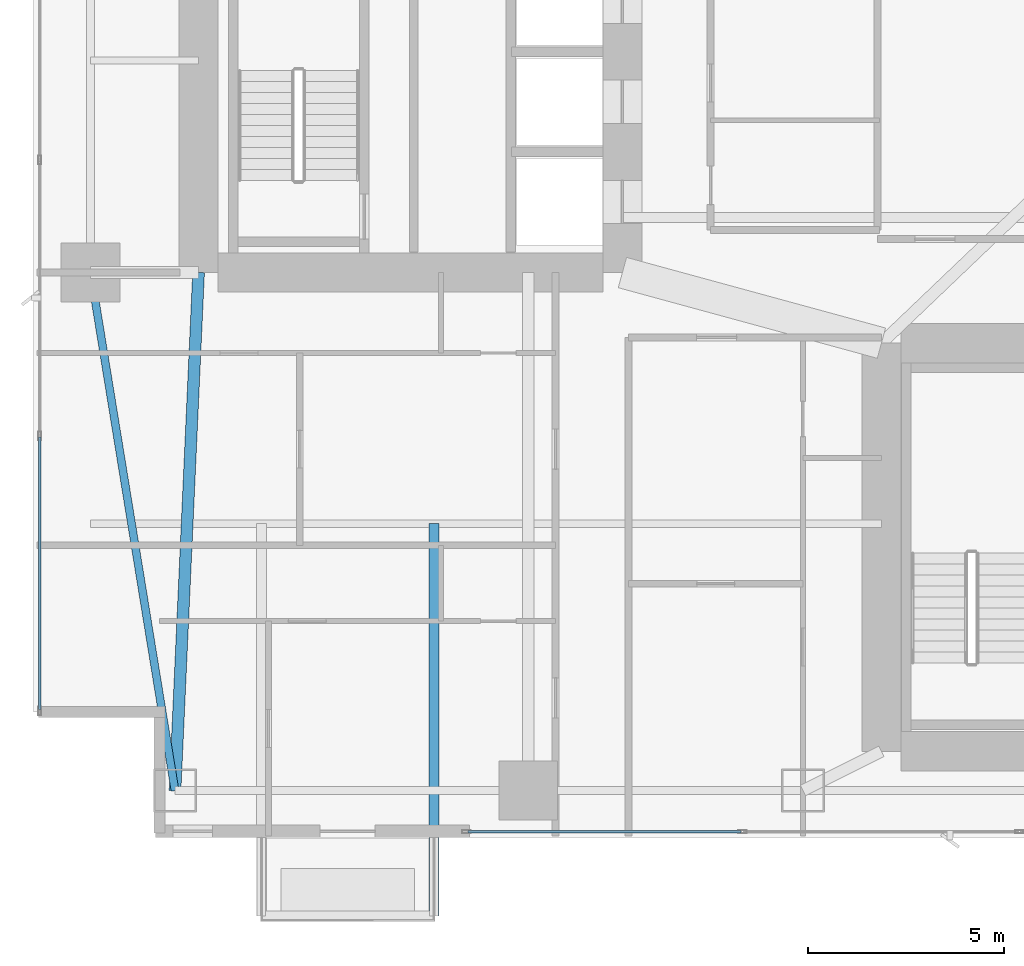
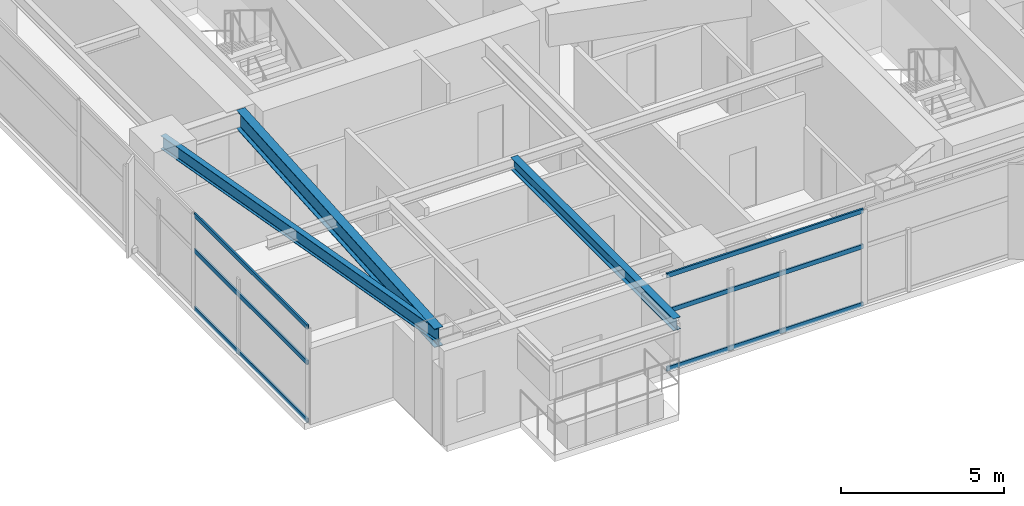
# One storey, part 3 of 29: 6 members, 3 beams, 2 elements without a shape of their own.
"""IFC4 building model written with IfcOpenShell, lengths in metres."""

from ifc_helpers import new_model, si_unit, direction, frame, origin, origin_2d, place, context, subcontext, project, spatial, hollow_rectangle, i_section, extrude, material, layer, layer_set, material_profile, profile_set, type_object, element, aggregate, save


model = new_model("IFC4")

# Units and contexts
model_context = context("Model", 3, precision=1e-05, world=origin(), true_north=direction((0.0, 1.0)))
body_context = subcontext(model_context, "Body", "Model", "MODEL_VIEW")
ifc_project = project(units=[si_unit("LENGTHUNIT", "METRE"), si_unit("AREAUNIT", "SQUARE_METRE"), si_unit("VOLUMEUNIT", "CUBIC_METRE"), si_unit("PLANEANGLEUNIT", "RADIAN"), si_unit("MASSUNIT", "GRAM", prefix="KILO")], contexts=[model_context])

# Site, building, storey
site_placement = place(None, origin())
site = spatial("IfcSite", under=ifc_project, at=site_placement, CompositionType="ELEMENT")
building_placement = place(site_placement, origin())
building = spatial("IfcBuilding", under=site, at=building_placement, Name="Calvorn Quay Hotel", CompositionType="ELEMENT")
storey_placement = place(building_placement, frame((0.0, 0.0, 58.39990234375)))
storey = spatial("IfcBuildingStorey", under=building, at=storey_placement, Name="L13", CompositionType="ELEMENT", Elevation=58.39990234375)

# Beams
ifc_material_1 = material(Name="Steel Q355B", Category="steel")
ifc_material_profile_1 = material_profile(ifc_material_1, i_section(OverallWidth=0.25, OverallDepth=0.449951171875, WebThickness=0.011962890625, FlangeThickness=0.01611328125, FilletRadius=0.01611328125, at=origin_2d()), Name="HN450x250x12x16")
ifc_profile_set_1 = profile_set([ifc_material_profile_1], Name="Steel Q355B")
beam_type_1 = type_object("IfcBeamType", Name="BM-CANT-BALC", PredefinedType="BEAM", material=ifc_profile_set_1)
beam_1_placement = place(storey_placement, frame((10.199951171875, 10.39990234375, 3.315185546875), z_axis=(0.0, -1.0, 0.0), x_axis=(1.0, 0.0, 0.0)))
element("IfcBeam", 1, at=beam_1_placement, inside=storey, type_object=beam_type_1, Name="Cantilever Balcony Beam BCB-L14-2B", PredefinedType="BEAM", context=body_context, shape_type="SweptSolid", body=[
    extrude(i_section(OverallWidth=0.25, OverallDepth=0.449951171875, WebThickness=0.011962890625, FlangeThickness=0.01611328125, FilletRadius=0.01611328125, at=origin_2d()), origin(), (0.0, 0.0, 1.0), 9.989990234375),
])
ifc_material_2 = material(Name="Steel Q390GJC", Category="steel")
ifc_material_profile_2 = material_profile(ifc_material_2, i_section(OverallWidth=0.300048828125, OverallDepth=0.699951171875, WebThickness=0.012939453125, FlangeThickness=0.02392578125, FilletRadius=0.02392578125, at=origin_2d()), Name="HN700x300x13x24")
ifc_profile_set_2 = profile_set([ifc_material_profile_2], Name="Steel Q390GJC")
beam_type_2 = type_object("IfcBeamType", Name="BM-GIRD-MAIN", PredefinedType="BEAM", material=ifc_profile_set_2)
beam_2_placement = place(storey_placement, frame((3.60009765625, 3.60009765625, 3.190185546875), z_axis=(0.045396765494, 0.998969035397, 0.0), x_axis=(-0.998969035397, 0.045396765494, 0.0)))
element("IfcBeam", 2, at=beam_2_placement, inside=storey, type_object=beam_type_2, Name="Beam BG-L13-W0", PredefinedType="BEAM", context=body_context, shape_type="SweptSolid", body=[
    extrude(i_section(OverallWidth=0.300048828125, OverallDepth=0.699951171875, WebThickness=0.012939453125, FlangeThickness=0.02392578125, FilletRadius=0.02392578125, at=origin_2d()), origin(), (0.0, 0.0, 1.0), 13.213623046875),
])
ifc_material_3 = material(Name="Steel Q355B", Category="steel")
ifc_material_profile_3 = material_profile(ifc_material_3, i_section(OverallWidth=0.199951171875, OverallDepth=0.5, WebThickness=0.010009765625, FlangeThickness=0.01611328125, FilletRadius=0.01611328125, at=origin_2d()), Name="HN500x200x10x16")
ifc_profile_set_3 = profile_set([ifc_material_profile_3], Name="Steel Q355B")
beam_type_3 = type_object("IfcBeamType", Name="BM-SPANDREL-Z1", PredefinedType="SPANDREL", material=ifc_profile_set_3)
beam_3_placement = place(storey_placement, frame((3.60009765625, 3.60009765625, 3.2900390625), z_axis=(-0.16077155054, 0.986991645627, 0.0), x_axis=(-0.986991645627, -0.16077155054, 0.0)))
element("IfcBeam", 3, at=beam_3_placement, inside=storey, type_object=beam_type_3, Name="Beam BSP-L13-W1", PredefinedType="SPANDREL", context=body_context, shape_type="SweptSolid", body=[
    extrude(i_section(OverallWidth=0.199951171875, OverallDepth=0.5, WebThickness=0.010009765625, FlangeThickness=0.01611328125, FilletRadius=0.01611328125, at=origin_2d()), origin(), (0.0, 0.0, 1.0), 13.3740234375),
])

# Curtain wall, members
ifc_material_4 = material(Name="Pale Anodised Aluminium and Low-E Glass", Category="aluminium")
ifc_layer = layer(ifc_material_4, 0.219970703125)
ifc_layer_set = layer_set([ifc_layer], Name="CW-SYS-Z1")
curtain_wall_type = type_object("IfcCurtainWallType", Name="CW-SYS-Z1", PredefinedType="NOTDEFINED", material=ifc_layer_set)
curtain_wall_1_placement = place(storey_placement, origin())
curtain_wall_1 = element("IfcCurtainWall", 4, at=curtain_wall_1_placement, inside=storey, type_object=curtain_wall_type, Name="Tower West Curtain Wall (L13)", PredefinedType="NOTDEFINED")
ifc_material_5 = material(Name="Pale Anodised Aluminium 6063-T6", Category="aluminium")
ifc_material_profile_4 = material_profile(ifc_material_5, hollow_rectangle(XDim=0.06494140625, YDim=0.1650390625, WallThickness=0.00341796875, at=origin_2d()), Name="ALU-T165x65x3.5")
ifc_profile_set_4 = profile_set([ifc_material_profile_4], Name="Pale Anodised Aluminium 6063-T6")
member_type = type_object("IfcMemberType", Name="CW-SYS-Z1-TRN", PredefinedType="USERDEFINED", material=ifc_profile_set_4)
member_1_placement = place(storey_placement, frame((0.14990234375, 5.659912109375, 0.030029296875), z_axis=(0.0, 1.0, 0.0), x_axis=(-1.0, 0.0, 0.0)))
member_1 = element("IfcMember", 5, at=member_1_placement, type_object=member_type, Name="CW-L13-W transom 1.1", ObjectType="TRANSOM", PredefinedType="USERDEFINED", context=body_context, shape_type="SweptSolid", body=[
    extrude(hollow_rectangle(XDim=0.06494140625, YDim=0.1650390625, WallThickness=0.00341796875, at=origin_2d()), origin(), (0.0, 0.0, 1.0), 6.943359375),
])
member_2_placement = place(storey_placement, frame((0.14990234375, 5.659912109375, 2.2001953125), z_axis=(0.0, 1.0, 0.0), x_axis=(-1.0, 0.0, 0.0)))
member_2 = element("IfcMember", 6, at=member_2_placement, type_object=member_type, Name="CW-L13-W transom 1.2", ObjectType="TRANSOM", PredefinedType="USERDEFINED", context=body_context, shape_type="SweptSolid", body=[
    extrude(hollow_rectangle(XDim=0.06494140625, YDim=0.1650390625, WallThickness=0.00341796875, at=origin_2d()), origin(), (0.0, 0.0, 1.0), 6.943359375),
])
member_3_placement = place(storey_placement, frame((0.14990234375, 5.659912109375, 3.530029296875), z_axis=(0.0, 1.0, 0.0), x_axis=(-1.0, 0.0, 0.0)))
member_3 = element("IfcMember", 7, at=member_3_placement, type_object=member_type, Name="CW-L13-W transom 1.3", ObjectType="TRANSOM", PredefinedType="USERDEFINED", context=body_context, shape_type="SweptSolid", body=[
    extrude(hollow_rectangle(XDim=0.06494140625, YDim=0.1650390625, WallThickness=0.00341796875, at=origin_2d()), origin(), (0.0, 0.0, 1.0), 6.943359375),
])
aggregate(curtain_wall_1, [member_1, member_2, member_3])

curtain_wall_2_placement = place(storey_placement, origin())
curtain_wall_2 = element("IfcCurtainWall", 8, at=curtain_wall_2_placement, inside=storey, type_object=curtain_wall_type, Name="Tower South Waterfront Curtain Wall (L13)", PredefinedType="NOTDEFINED")
member_4_placement = place(storey_placement, frame((11.06005859375, 2.550048828125, 0.030029296875), z_axis=(1.0, 0.0, 0.0), x_axis=(0.0, 1.0, 0.0)))
member_4 = element("IfcMember", 9, at=member_4_placement, type_object=member_type, Name="CW-L13-S transom 1.1", ObjectType="TRANSOM", PredefinedType="USERDEFINED", context=body_context, shape_type="SweptSolid", body=[
    extrude(hollow_rectangle(XDim=0.06494140625, YDim=0.1650390625, WallThickness=0.00341796875, at=origin_2d()), origin(), (0.0, 0.0, 1.0), 6.967041015625),
])
member_5_placement = place(storey_placement, frame((11.06005859375, 2.550048828125, 2.2001953125), z_axis=(1.0, 0.0, 0.0), x_axis=(0.0, 1.0, 0.0)))
member_5 = element("IfcMember", 10, at=member_5_placement, type_object=member_type, Name="CW-L13-S transom 1.2", ObjectType="TRANSOM", PredefinedType="USERDEFINED", context=body_context, shape_type="SweptSolid", body=[
    extrude(hollow_rectangle(XDim=0.06494140625, YDim=0.1650390625, WallThickness=0.00341796875, at=origin_2d()), origin(), (0.0, 0.0, 1.0), 6.967041015625),
])
member_6_placement = place(storey_placement, frame((11.06005859375, 2.550048828125, 3.530029296875), z_axis=(1.0, 0.0, 0.0), x_axis=(0.0, 1.0, 0.0)))
member_6 = element("IfcMember", 11, at=member_6_placement, type_object=member_type, Name="CW-L13-S transom 1.3", ObjectType="TRANSOM", PredefinedType="USERDEFINED", context=body_context, shape_type="SweptSolid", body=[
    extrude(hollow_rectangle(XDim=0.06494140625, YDim=0.1650390625, WallThickness=0.00341796875, at=origin_2d()), origin(), (0.0, 0.0, 1.0), 6.967041015625),
])
aggregate(curtain_wall_2, [member_4, member_5, member_6])

save(model, "model.ifc")
